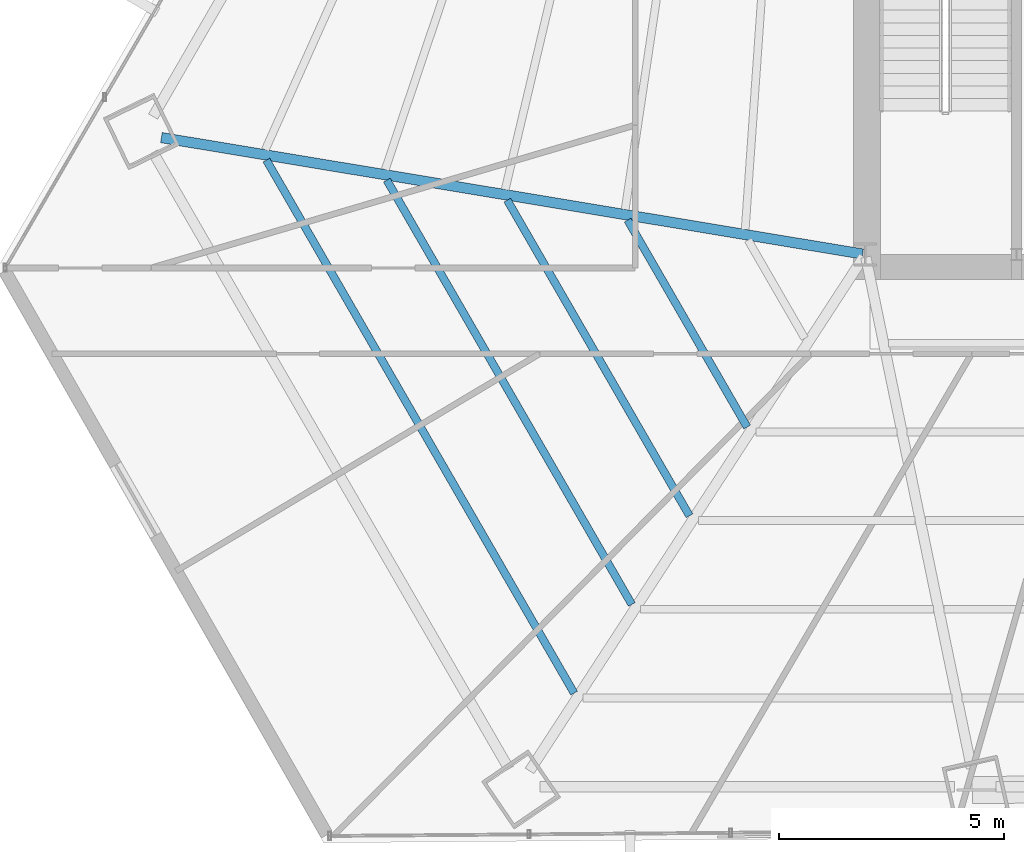
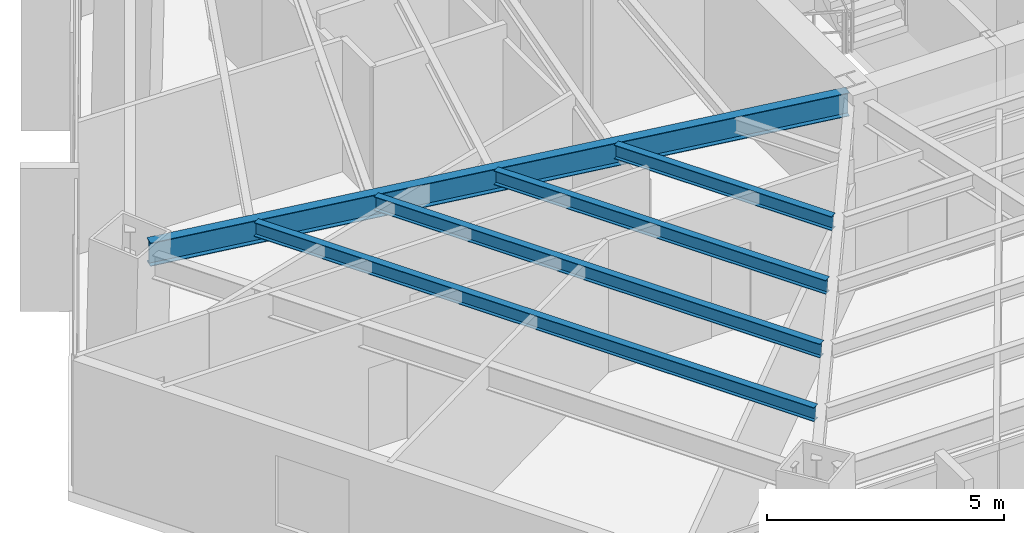
# One storey, part 7 of 36: 5 beams.
"""IFC4 building model written with IfcOpenShell, lengths in metres."""

from ifc_helpers import new_model, si_unit, direction, frame, origin, origin_2d, place, context, subcontext, project, spatial, i_section, extrude, source, transform, mapped, material, material_profile, profile_set, type_object, type_shapes, element, save


model = new_model("IFC4")

# Units and contexts
model_context = context("Model", 3, precision=1e-05, world=origin(), true_north=direction((0.0, 1.0)))
body_context = subcontext(model_context, "Body", "Model", "MODEL_VIEW")
ifc_project = project(units=[si_unit("LENGTHUNIT", "METRE"), si_unit("AREAUNIT", "SQUARE_METRE"), si_unit("VOLUMEUNIT", "CUBIC_METRE"), si_unit("PLANEANGLEUNIT", "RADIAN"), si_unit("MASSUNIT", "GRAM", prefix="KILO")], contexts=[model_context])

# Site, building, storey
site_placement = place(None, origin())
site = spatial("IfcSite", under=ifc_project, at=site_placement, CompositionType="ELEMENT")
building_placement = place(site_placement, origin())
building = spatial("IfcBuilding", under=site, at=building_placement, Name="Caelisora Broadcast Tower", CompositionType="ELEMENT")
storey_placement = place(building_placement, frame((0.0, 0.0, 64.10009765625)))
storey = spatial("IfcBuildingStorey", under=building, at=storey_placement, Name="L16", CompositionType="ELEMENT", Elevation=64.10009765625)

# Beams
ifc_material = material(Name="Steel Grade 350 (AS/NZS 3679.1)", Category="steel")
ifc_material_profile_1 = material_profile(ifc_material, i_section(OverallWidth=0.22802734375, OverallDepth=0.602294921875, WebThickness=0.010498046875, FlangeThickness=0.014892578125, at=origin_2d()), Name="Steel Grade 350 (AS/NZS 3679.1)")
ifc_profile_set_1 = profile_set([ifc_material_profile_1], Name="Steel Grade 350 (AS/NZS 3679.1)")
beam_type_1 = type_object("IfcBeamType", Name="PG04", PredefinedType="BEAM", material=ifc_profile_set_1)
shared_shape_1 = source(origin(), body_context, "Body", "SweptSolid", [
    extrude(i_section(OverallWidth=0.22802734375, OverallDepth=0.602294921875, WebThickness=0.010498046875, FlangeThickness=0.014892578125, at=origin_2d()), origin(), (0.0, 0.0, 1.0), 15.76513671875),
])
type_shapes(beam_type_1, [shared_shape_1])
beam_1_placement = place(storey_placement, frame((30.44091796875, 17.409912109375, 3.098876953125), z_axis=(-0.986481259841, 0.163874110165, 0.0), x_axis=(-0.163874110165, -0.986481259841, 0.0)))
element("IfcBeam", 1, at=beam_1_placement, inside=storey, type_object=beam_type_1, Name="L16 beam PG04", PredefinedType="BEAM", context=body_context, shape_type="MappedRepresentation", body=[
    mapped(shared_shape_1, transform((0.0, 0.0, 0.0), scale=1.0)),
])
ifc_material_profile_2 = material_profile(ifc_material, i_section(OverallWidth=0.172119140625, OverallDepth=0.358642578125, WebThickness=0.008056640625, FlangeThickness=0.012939453125, at=origin_2d()), Name="Steel Grade 350 (AS/NZS 3679.1)")
ifc_profile_set_2 = profile_set([ifc_material_profile_2], Name="Steel Grade 350 (AS/NZS 3679.1)")
beam_type_2 = type_object("IfcBeamType", Name="SB02", PredefinedType="JOIST", material=ifc_profile_set_2)
shared_shape_2 = source(origin(), body_context, "Body", "SweptSolid", [
    extrude(i_section(OverallWidth=0.172119140625, OverallDepth=0.358642578125, WebThickness=0.008056640625, FlangeThickness=0.012939453125, at=origin_2d()), origin(), (0.0, 0.0, 1.0), 5.298828125),
])
beam_2_placement = place(storey_placement, frame((25.23046875, 18.162109375, 3.220703125), z_axis=(0.500004296715, -0.866022923061, 0.0), x_axis=(0.866022923061, 0.500004296715, 0.0)))
element("IfcBeam", 2, at=beam_2_placement, inside=storey, type_object=beam_type_2, Name="L16 beam SB02", PredefinedType="JOIST", context=body_context, shape_type="MappedRepresentation", body=[
    mapped(shared_shape_2, transform((0.0, 0.0, 0.0), scale=1.0)),
])
shared_shape_3 = source(origin(), body_context, "Body", "SweptSolid", [
    extrude(i_section(OverallWidth=0.172119140625, OverallDepth=0.358642578125, WebThickness=0.008056640625, FlangeThickness=0.012939453125, at=origin_2d()), origin(), (0.0, 0.0, 1.0), 8.0830078125),
])
beam_3_placement = place(storey_placement, frame((22.5595703125, 18.605712890625, 3.220703125), z_axis=(0.50000482701, -0.866022616891, 0.0), x_axis=(0.866022616891, 0.50000482701, 0.0)))
element("IfcBeam", 3, at=beam_3_placement, inside=storey, type_object=beam_type_2, Name="L16 beam SB02", PredefinedType="JOIST", context=body_context, shape_type="MappedRepresentation", body=[
    mapped(shared_shape_3, transform((0.0, 0.0, 0.0), scale=1.0)),
])
shared_shape_4 = source(origin(), body_context, "Body", "SweptSolid", [
    extrude(i_section(OverallWidth=0.172119140625, OverallDepth=0.358642578125, WebThickness=0.008056640625, FlangeThickness=0.012939453125, at=origin_2d()), origin(), (0.0, 0.0, 1.0), 10.8671875),
])
beam_4_placement = place(storey_placement, frame((19.888671875, 19.049560546875, 3.220703125), z_axis=(0.500005085581, -0.866022467603, 0.0), x_axis=(0.866022467603, 0.500005085581, 0.0)))
element("IfcBeam", 4, at=beam_4_placement, inside=storey, type_object=beam_type_2, Name="L16 beam SB02", PredefinedType="JOIST", context=body_context, shape_type="MappedRepresentation", body=[
    mapped(shared_shape_4, transform((0.0, 0.0, 0.0), scale=1.0)),
])
shared_shape_5 = source(origin(), body_context, "Body", "SweptSolid", [
    extrude(i_section(OverallWidth=0.172119140625, OverallDepth=0.358642578125, WebThickness=0.008056640625, FlangeThickness=0.012939453125, at=origin_2d()), origin(), (0.0, 0.0, 1.0), 13.651123046875),
])
type_shapes(beam_type_2, [shared_shape_2, shared_shape_3, shared_shape_4, shared_shape_5])
beam_5_placement = place(storey_placement, frame((17.2177734375, 19.4931640625, 3.220703125), z_axis=(0.499991825478, -0.866030123295, 0.0), x_axis=(0.866030123295, 0.499991825478, 0.0)))
element("IfcBeam", 5, at=beam_5_placement, inside=storey, type_object=beam_type_2, Name="L16 beam SB02", PredefinedType="JOIST", context=body_context, shape_type="MappedRepresentation", body=[
    mapped(shared_shape_5, transform((0.0, 0.0, 0.0), scale=1.0)),
])

save(model, "model.ifc")
